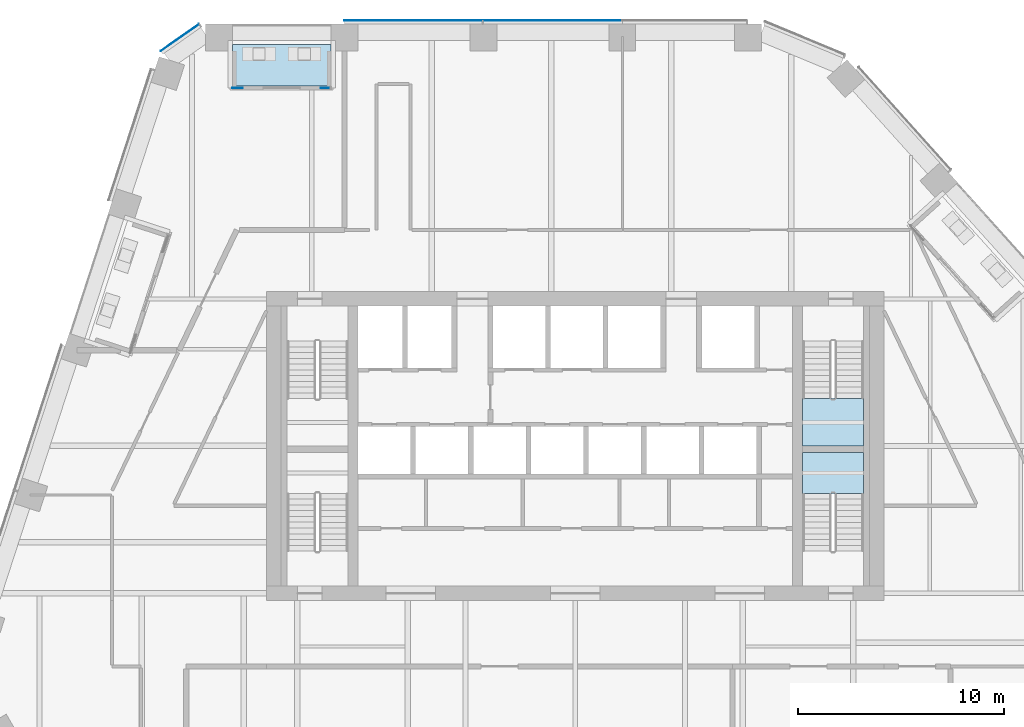
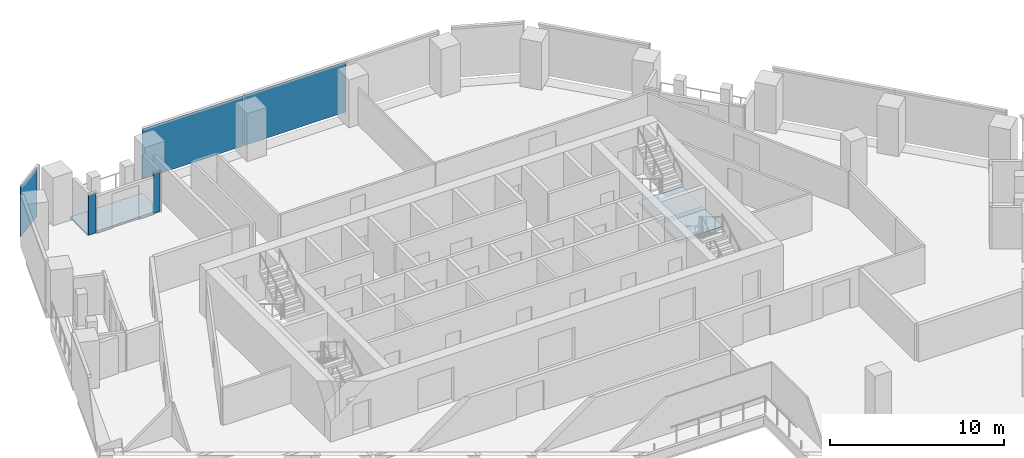
# One storey, part 17 of 26: 5 plates, 3 slabs, 5 elements without a shape of their own.
"""IFC4 building model written with IfcOpenShell, lengths in metres."""

from ifc_helpers import new_model, si_unit, direction, frame, origin, origin_2d, place, context, subcontext, project, spatial, polyline, rectangle, outline, extrude, material, layer, layer_set, type_object, element, aggregate, save


model = new_model("IFC4")

# Units and contexts
model_context = context("Model", 3, precision=1e-05, world=origin(), true_north=direction((0.0, 1.0)))
body_context = subcontext(model_context, "Body", "Model", "MODEL_VIEW")
ifc_project = project(units=[si_unit("LENGTHUNIT", "METRE"), si_unit("AREAUNIT", "SQUARE_METRE"), si_unit("VOLUMEUNIT", "CUBIC_METRE"), si_unit("PLANEANGLEUNIT", "RADIAN"), si_unit("MASSUNIT", "GRAM", prefix="KILO")], contexts=[model_context])

# Site, building, storey
site_placement = place(None, origin())
site = spatial("IfcSite", under=ifc_project, at=site_placement, CompositionType="ELEMENT")
building_placement = place(site_placement, origin())
building = spatial("IfcBuilding", under=site, at=building_placement, Name="Isthmus Gate Tower", CompositionType="ELEMENT")
storey_placement = place(building_placement, frame((0.0, 0.0, 203.64990234375)))
storey = spatial("IfcBuildingStorey", under=building, at=storey_placement, Name="L51", CompositionType="ELEMENT", Elevation=203.64990234375)

# Curtain wall, plates
ifc_material_1 = material(Name="Aluminium, pale champagne anodised", Category="aluminium")
ifc_layer_1 = layer(ifc_material_1, 0.199951171875)
ifc_layer_set_1 = layer_set([ifc_layer_1], Name="CW-1 UNITISED CURTAIN WALL 200 DEEP")
curtain_wall_type_1 = type_object("IfcCurtainWallType", Name="CW-1 UNITISED CURTAIN WALL 200 DEEP", PredefinedType="NOTDEFINED", material=ifc_layer_set_1)
curtain_wall_1_placement = place(storey_placement, origin())
curtain_wall_1 = element("IfcCurtainWall", 1, at=curtain_wall_1_placement, inside=storey, type_object=curtain_wall_type_1, Name="CW-1 N L51", PredefinedType="NOTDEFINED")
ifc_material_2 = material(Name="Laminated low-iron glass, pale blue tint", Category="glass")
ifc_layer_2 = layer(ifc_material_2, 0.035888671875)
ifc_layer_set_2 = layer_set([ifc_layer_2], Name="CW-1 CLEAR GLASS LITE 36")
plate_type_1 = type_object("IfcPlateType", Name="CW-1 CLEAR GLASS LITE 36", PredefinedType="CURTAIN_PANEL", material=ifc_layer_set_2)
plate_1_placement = place(storey_placement, frame((-1.086669921875, 28.181884765625, 0.0), z_axis=(0.0, 0.0, 1.0), x_axis=(-1.0, 0.0, 0.0)))
plate_1 = element("IfcPlate", 2, at=plate_1_placement, type_object=plate_type_1, Name="CW-1 glass lite", PredefinedType="CURTAIN_PANEL", context=body_context, shape_type="SweptSolid", body=[
    extrude(rectangle(XDim=6.750244140625, YDim=0.035888671875, at=origin_2d()), origin(), (0.0, 0.0, 1.0), 3.510009765625),
])
plate_2_placement = place(storey_placement, frame((-7.86669921875, 28.181884765625, 0.0), z_axis=(0.0, 0.0, 1.0), x_axis=(-1.0, 0.0, 0.0)))
plate_2 = element("IfcPlate", 3, at=plate_2_placement, type_object=plate_type_1, Name="CW-1 glass lite", PredefinedType="CURTAIN_PANEL", context=body_context, shape_type="SweptSolid", body=[
    extrude(rectangle(XDim=6.690185546875, YDim=0.035888671875, at=origin_2d()), origin(), (0.0, 0.0, 1.0), 3.510009765625),
])
aggregate(curtain_wall_1, [plate_1, plate_2])

# Curtain wall, plate
curtain_wall_2_placement = place(storey_placement, origin())
curtain_wall_2 = element("IfcCurtainWall", 4, at=curtain_wall_2_placement, inside=storey, type_object=curtain_wall_type_1, Name="CW-1 N-NW L51", PredefinedType="NOTDEFINED")
plate_3_placement = place(storey_placement, frame((-19.2119140625, 27.343017578125, 0.0), z_axis=(0.0, 0.0, 1.0), x_axis=(-0.81785959165, -0.57541783805, 0.0)))
plate_3 = element("IfcPlate", 5, at=plate_3_placement, type_object=plate_type_1, Name="CW-1 glass lite", PredefinedType="CURTAIN_PANEL", context=body_context, shape_type="SweptSolid", body=[
    extrude(rectangle(XDim=2.258544921875, YDim=0.035888671875, at=origin_2d()), origin(), (0.0, 0.0, 1.0), 3.510009765625),
])
aggregate(curtain_wall_2, [plate_3])

# Curtain wall, plates
ifc_material_3 = material(Name="Aluminium, pale champagne anodised", Category="aluminium")
ifc_layer_3 = layer(ifc_material_3, 0.14990234375)
ifc_layer_set_3 = layer_set([ifc_layer_3], Name="CW-6 LOGGIA BACK WALL GLAZING 150 DEEP")
curtain_wall_type_2 = type_object("IfcCurtainWallType", Name="CW-6 LOGGIA BACK WALL GLAZING 150 DEEP", PredefinedType="NOTDEFINED", material=ifc_layer_set_3)
curtain_wall_3_placement = place(storey_placement, origin())
curtain_wall_3 = element("IfcCurtainWall", 6, at=curtain_wall_3_placement, inside=storey, type_object=curtain_wall_type_2, Name="CW-6 N L51", PredefinedType="NOTDEFINED")
ifc_material_4 = material(Name="Laminated low-iron glass, clear", Category="glass")
ifc_layer_4 = layer(ifc_material_4, 0.031982421875)
ifc_layer_set_4 = layer_set([ifc_layer_4], Name="CW-6 CLEAR GLASS LITE 32")
plate_type_2 = type_object("IfcPlateType", Name="CW-6 CLEAR GLASS LITE 32", PredefinedType="CURTAIN_PANEL", material=ifc_layer_set_4)
plate_4_placement = place(storey_placement, frame((-12.141845703125, 24.89990234375, 0.0), z_axis=(0.0, 0.0, 1.0), x_axis=(-1.0, 0.0, 0.0)))
plate_4 = element("IfcPlate", 7, at=plate_4_placement, type_object=plate_type_2, Name="CW-6 glass lite", PredefinedType="CURTAIN_PANEL", context=body_context, shape_type="SweptSolid", body=[
    extrude(rectangle(XDim=0.43994140625, YDim=0.031982421875, at=origin_2d()), origin(), (0.0, 0.0, 1.0), 2.780029296875),
])
plate_5_placement = place(storey_placement, frame((-16.411865234375, 24.89990234375, 0.0), z_axis=(0.0, 0.0, 1.0), x_axis=(-1.0, 0.0, 0.0)))
plate_5 = element("IfcPlate", 8, at=plate_5_placement, type_object=plate_type_2, Name="CW-6 glass lite", PredefinedType="CURTAIN_PANEL", context=body_context, shape_type="SweptSolid", body=[
    extrude(rectangle(XDim=0.5, YDim=0.031982421875, at=origin_2d()), origin(), (0.0, 0.0, 1.0), 2.780029296875),
])
aggregate(curtain_wall_3, [plate_4, plate_5])

# Slab
ifc_material_5 = material(Name="Concrete f'c 50 MPa", Category="concrete")
ifc_layer_5 = layer(ifc_material_5, 0.14990234375)
ifc_layer_set_5 = layer_set([ifc_layer_5], Name="LOGGIA FLOOR SLAB 150")
slab_type_1 = type_object("IfcSlabType", Name="LOGGIA FLOOR SLAB 150", PredefinedType="FLOOR", material=ifc_layer_set_5)
slab_1_placement = place(storey_placement, frame((0.0, 0.0, -0.14990234375)))
element("IfcSlab", 9, at=slab_1_placement, inside=storey, type_object=slab_type_1, Name="LOGGIA FLOOR", PredefinedType="FLOOR", context=body_context, shape_type="SweptSolid", body=[
    extrude(outline(polyline([(-11.86181640625, 27.0), (-16.661865234375, 27.0), (-16.661865234375, 25.0), (-11.86181640625, 25.0), (-11.86181640625, 27.0)])), origin(), (0.0, 0.0, 1.0), 0.14990234375),
])

# Stair, slab
ifc_material_6 = material(Name="Concrete f'c 40 MPa", Category="concrete")
stair_type = type_object("IfcStairType", Name="CORE STAIR 22 RISERS", PredefinedType="HALF_TURN_STAIR", material=ifc_material_6)
stair_1_placement = place(storey_placement, origin())
stair_1 = element("IfcStair", 10, at=stair_1_placement, inside=storey, type_object=stair_type, Name="L51 Exit Stair 2", PredefinedType="HALF_TURN_STAIR")
ifc_material_7 = material(Name="Concrete f'c 40 MPa", Category="concrete")
ifc_layer_6 = layer(ifc_material_7, 0.199951171875)
ifc_layer_set_6 = layer_set([ifc_layer_6])
slab_type_2 = type_object("IfcSlabType", Name="STAIR LANDING RC 200", PredefinedType="LANDING", material=ifc_layer_set_6)
slab_2_placement = place(storey_placement, frame((0.0, 0.0, 1.625)))
slab_2 = element("IfcSlab", 11, at=slab_2_placement, type_object=slab_type_2, Name="ST2 landing 1", PredefinedType="LANDING", context=body_context, shape_type="SweptSolid", body=[
    extrude(outline(polyline([(11.050048828125, 9.800048828125), (11.050048828125, 7.5), (14.0, 7.5), (14.0, 9.800048828125), (11.050048828125, 9.800048828125)])), origin(), (0.0, 0.0, 1.0), 0.2001953125),
])
aggregate(stair_1, [slab_2])

stair_2_placement = place(storey_placement, origin())
stair_2 = element("IfcStair", 12, at=stair_2_placement, inside=storey, type_object=stair_type, Name="L51 Exit Stair 8", PredefinedType="HALF_TURN_STAIR")
slab_3_placement = place(storey_placement, frame((0.0, 0.0, 1.625)))
slab_3 = element("IfcSlab", 13, at=slab_3_placement, type_object=slab_type_2, Name="ST8 landing 1", PredefinedType="LANDING", context=body_context, shape_type="SweptSolid", body=[
    extrude(outline(polyline([(14.0, 5.199951171875), (14.0, 7.199951171875), (11.050048828125, 7.199951171875), (11.050048828125, 5.199951171875), (14.0, 5.199951171875)])), origin(), (0.0, 0.0, 1.0), 0.2001953125),
])
aggregate(stair_2, [slab_3])

save(model, "model.ifc")
